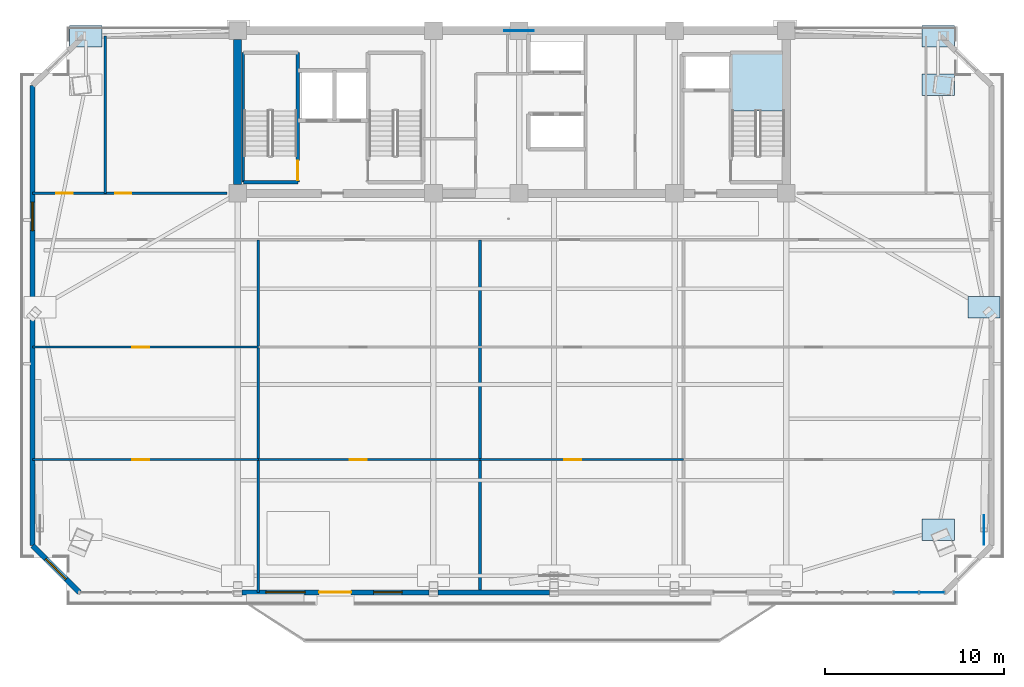
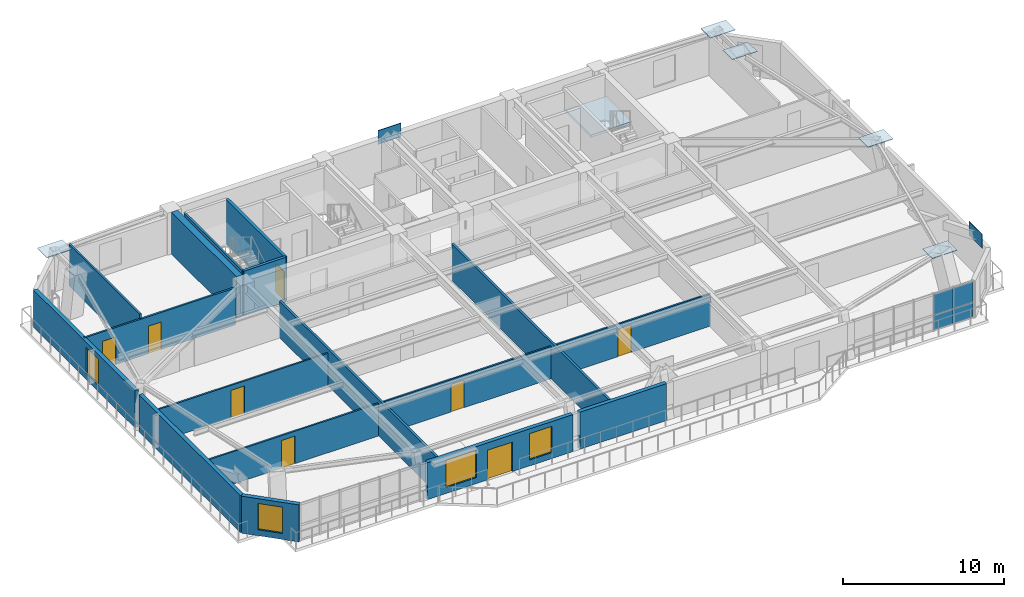
# One storey, part 8 of 16: 17 walls, 11 plates, 8 doors, 4 windows, 1 slab, 12 openings, 2 elements without a shape of their own.
"""IFC4 building model written with IfcOpenShell, lengths in metres."""

import ifcopenshell
import ifcopenshell.guid

model = None  # the IFC model being written
_history = None  # IfcOwnerHistory: only IFC2X3 demands one
_inside = {}  # id of a spatial element -> (the spatial element, [elements in it])
_under = {}  # id of a project, library or spatial element -> (it, [spatial elements below it])
_declared = {}  # id of a project -> (the project, [libraries it declares])
_typed = {}  # id of a type object -> (the type object, [elements of that type])
_made_of = {}  # id of a material, layer set ... -> (it, [elements and type objects made of it])


def new_model(schema):
    """Start an empty IFC model of exactly this schema.

    Asked for "IFC4X3", IfcOpenShell would pick the latest addendum, in which some entities
    have other attributes; the version numbers below select the first issue.
    IFC2X3 requires an IfcOwnerHistory on every rooted entity: one is made here for all.
    """
    global model, _history
    if schema == "IFC4X3":
        model = ifcopenshell.file(schema_version=(4, 3, 0, 0))
    else:
        model = ifcopenshell.file(schema=schema)
    _inside.clear()
    _under.clear()
    _declared.clear()
    _typed.clear()
    _made_of.clear()
    _history = None
    if model.schema == "IFC2X3":
        org = make("IfcOrganization", Name="unknown")
        user = make(
            "IfcPersonAndOrganization",
            ThePerson=make("IfcPerson", FamilyName="unknown"),
            TheOrganization=org,
        )
        app = make(
            "IfcApplication",
            ApplicationDeveloper=org,
            Version="unknown",
            ApplicationFullName="unknown",
            ApplicationIdentifier="unknown",
        )
        _history = make(
            "IfcOwnerHistory",
            OwningUser=user,
            OwningApplication=app,
            ChangeAction="ADDED",
            CreationDate=0,
        )
    return model


def make(cls, **values):
    """One entity of the class cls with the attributes given. An attribute that is None is left unset."""
    return model.create_entity(
        cls, **{name: value for name, value in values.items() if value is not None}
    )


def rooted(cls, **values):
    """An entity with a GlobalId (a new one), such as an element, a storey or a relation."""
    return make(cls, GlobalId=ifcopenshell.guid.new(), OwnerHistory=_history, **values)


def si_unit(unit_type, name, prefix=None):
    """IfcSIUnit, for example si_unit("LENGTHUNIT", "METRE", prefix="MILLI")."""
    return make("IfcSIUnit", UnitType=unit_type, Prefix=prefix, Name=name)


def assignment(units):
    """IfcUnitAssignment: the units of a project."""
    return None if units is None else make("IfcUnitAssignment", Units=units)


def point(xyz):
    """IfcCartesianPoint."""
    return None if xyz is None else make("IfcCartesianPoint", Coordinates=xyz)


def direction(xyz):
    """IfcDirection."""
    return None if xyz is None else make("IfcDirection", DirectionRatios=xyz)


def frame(location, z_axis=None, x_axis=None):
    """IfcAxis2Placement3D, a coordinate frame: its origin and axes. An axis left out is left unset."""
    return make(
        "IfcAxis2Placement3D",
        Location=point(location),
        Axis=direction(z_axis),
        RefDirection=direction(x_axis),
    )


def frame_2d(location, x_axis=None):
    """IfcAxis2Placement2D, a coordinate frame in the plane: its origin and x axis."""
    return make(
        "IfcAxis2Placement2D", Location=point(location), RefDirection=direction(x_axis)
    )


def origin():
    """The frame at (0, 0, 0) with its axes left unset."""
    return frame((0.0, 0.0, 0.0))


def origin_2d():
    """The frame at (0, 0) in the plane with its x axis left unset."""
    return frame_2d((0.0, 0.0))


def place(relative_to, where):
    """IfcLocalPlacement: puts the frame where relative to a parent placement (None: the world)."""
    return make(
        "IfcLocalPlacement", PlacementRelTo=relative_to, RelativePlacement=where
    )


def context(
    kind, dimensions, precision=None, world=None, true_north=None, identifier=None
):
    """IfcGeometricRepresentationContext, for example the 3D "Model" context."""
    return make(
        "IfcGeometricRepresentationContext",
        ContextIdentifier=identifier,
        ContextType=kind,
        CoordinateSpaceDimension=dimensions,
        Precision=precision,
        WorldCoordinateSystem=world,
        TrueNorth=true_north,
    )


def subcontext(parent, identifier, kind, view, scale=None):
    """IfcGeometricRepresentationSubContext, for example "Body" below "Model"."""
    return make(
        "IfcGeometricRepresentationSubContext",
        ContextIdentifier=identifier,
        ContextType=kind,
        ParentContext=parent,
        TargetScale=scale,
        TargetView=view,
    )


def project(units=None, contexts=None):
    """IfcProject with its units and contexts."""
    return rooted(
        "IfcProject",
        Name="project",
        RepresentationContexts=contexts,
        UnitsInContext=assignment(units),
    )


def spatial(cls, under=None, at=None, **own):
    """A site, building, storey or space (cls), placed at a placement, below another one or the project."""
    s = rooted(cls, ObjectPlacement=at, **own)
    if under is not None:
        _under.setdefault(under.id(), (under, []))[1].append(s)
    return s


def polyline(points):
    """IfcPolyline through the points."""
    return make("IfcPolyline", Points=[point(p) for p in points])


def profile(cls, at=None, kind="AREA", **sizes):
    """A parametric profile (cls). Its sizes go by their IFC names, for example OverallWidth=200.0."""
    return make(cls, ProfileType=kind, Position=at, **sizes)


def rectangle(**sizes):
    """IfcRectangleProfileDef."""
    return profile("IfcRectangleProfileDef", **sizes)


def outline(outer, holes=None, kind="AREA"):
    """IfcArbitraryClosedProfileDef: a profile drawn as a closed curve; with holes, ...WithVoids."""
    if holes is None:
        return make("IfcArbitraryClosedProfileDef", ProfileType=kind, OuterCurve=outer)
    return make(
        "IfcArbitraryProfileDefWithVoids",
        ProfileType=kind,
        OuterCurve=outer,
        InnerCurves=holes,
    )


def extrude(swept, where, along, depth):
    """IfcExtrudedAreaSolid: the profile swept, set in the frame where, extruded along a direction by depth."""
    return make(
        "IfcExtrudedAreaSolid",
        SweptArea=swept,
        Position=where,
        ExtrudedDirection=direction(along),
        Depth=depth,
    )


def shape(context_of_items, identifier, shape_type, items):
    """IfcShapeRepresentation: the items that make up one representation, for example the "Body"."""
    return make(
        "IfcShapeRepresentation",
        ContextOfItems=context_of_items,
        RepresentationIdentifier=identifier,
        RepresentationType=shape_type,
        Items=items,
    )


def source(mapping_origin, context_of_items, identifier, shape_type, items):
    """IfcRepresentationMap: a shape defined once, which mapped items show again and again."""
    return make(
        "IfcRepresentationMap",
        MappingOrigin=mapping_origin,
        MappedRepresentation=shape(context_of_items, identifier, shape_type, items),
    )


def transform(
    local_origin,
    x_axis=None,
    y_axis=None,
    z_axis=None,
    scale=None,
    scale2=None,
    scale3=None,
    uniform=True,
):
    """IfcCartesianTransformationOperator3D, or its non-uniform kind. x_axis, y_axis, z_axis: its Axis1, 2, 3."""
    if uniform:
        return make(
            "IfcCartesianTransformationOperator3D",
            Axis1=direction(x_axis),
            Axis2=direction(y_axis),
            LocalOrigin=point(local_origin),
            Scale=scale,
            Axis3=direction(z_axis),
        )
    return make(
        "IfcCartesianTransformationOperator3DnonUniform",
        Axis1=direction(x_axis),
        Axis2=direction(y_axis),
        LocalOrigin=point(local_origin),
        Scale=scale,
        Axis3=direction(z_axis),
        Scale2=scale2,
        Scale3=scale3,
    )


def mapped(mapping_source, mapping_target):
    """IfcMappedItem: shows the shape of a source again, moved by a transform."""
    return make(
        "IfcMappedItem", MappingSource=mapping_source, MappingTarget=mapping_target
    )


def material(Name=None, Category=None):
    """IfcMaterial."""
    return make("IfcMaterial", Name=Name, Category=Category)


def layer(
    of_material, thickness, ventilated=None, Name=None, Category=None, Priority=None
):
    """IfcMaterialLayer: one layer of a wall or slab, of a material (None: an air gap)."""
    return make(
        "IfcMaterialLayer",
        Material=of_material,
        LayerThickness=thickness,
        IsVentilated=ventilated,
        Name=Name,
        Category=Category,
        Priority=Priority,
    )


def layer_set(layers, Name=None):
    """IfcMaterialLayerSet."""
    return make("IfcMaterialLayerSet", MaterialLayers=layers, LayerSetName=Name)


def made_of(thing, what):
    """Note that an element or type object is made of a material, layer set ...; save() writes the relation."""
    if what is not None:
        _made_of.setdefault(what.id(), (what, []))[1].append(thing)
    return thing


def type_object(cls, material=None, **own):
    """A type object (cls), such as IfcWallType, which elements share."""
    return made_of(rooted(cls, **own), material)


def element(
    cls,
    number,
    at=None,
    inside=None,
    cuts=None,
    type_object=None,
    material=None,
    context=None,
    identifier="Body",
    shape_type=None,
    held_by="IfcProductDefinitionShape",
    body=None,
    shapes=None,
    **own,
):
    """One element of the class cls, such as IfcWall. Its Tag is "e" and its number.

    at: its placement. inside: the storey or other place that contains it. cuts: it is an
    opening in that element (IfcRelVoidsElement). A single representation is given by context,
    identifier, shape_type and body (its items); several are given by shapes. held_by: the class
    of the entity that holds the representations. save() writes the other relations.
    """
    e = rooted(cls, Tag="e%d" % number, ObjectPlacement=at, **own)
    if body is not None:
        shapes = [shape(context, identifier, shape_type, body)]
    if shapes is not None:
        e.Representation = make(held_by, Representations=shapes)
    if inside is not None:
        _inside.setdefault(inside.id(), (inside, []))[1].append(e)
    if cuts is not None:
        rooted(
            "IfcRelVoidsElement", RelatingBuildingElement=cuts, RelatedOpeningElement=e
        )
    if type_object is not None:
        _typed.setdefault(type_object.id(), (type_object, []))[1].append(e)
    return made_of(e, material)


def fill(opening, filler):
    """IfcRelFillsElement: the door or window that sits in an opening."""
    return rooted(
        "IfcRelFillsElement",
        RelatingOpeningElement=opening,
        RelatedBuildingElement=filler,
    )


def aggregate(whole, parts):
    """IfcRelAggregates: a whole, such as a stair, and the parts it consists of."""
    return rooted("IfcRelAggregates", RelatingObject=whole, RelatedObjects=parts)


def save(model, path):
    """Write the relations noted so far, then the file.

    IfcRelAggregates (storeys below a building ...), IfcRelContainedInSpatialStructure (elements
    in a storey), IfcRelDefinesByType, IfcRelAssociatesMaterial and IfcRelDeclares: one each for
    every whole, place, type object, material and project.
    """
    for whole, parts in _under.values():
        aggregate(whole, parts)
    for where, things in _inside.values():
        rooted(
            "IfcRelContainedInSpatialStructure",
            RelatedElements=things,
            RelatingStructure=where,
        )
    for kind, things in _typed.values():
        rooted("IfcRelDefinesByType", RelatedObjects=things, RelatingType=kind)
    for what, things in _made_of.values():
        rooted("IfcRelAssociatesMaterial", RelatedObjects=things, RelatingMaterial=what)
    for by, libraries in _declared.values():
        rooted("IfcRelDeclares", RelatingContext=by, RelatedDefinitions=libraries)
    model.write(path)


model = new_model("IFC4")

# Units and contexts
model_context = context("Model", 3, precision=1e-05, world=origin(), true_north=direction((0.0, 1.0)))
body_context = subcontext(model_context, "Body", "Model", "MODEL_VIEW")
ifc_project = project(units=[si_unit("LENGTHUNIT", "METRE"), si_unit("AREAUNIT", "SQUARE_METRE"), si_unit("VOLUMEUNIT", "CUBIC_METRE"), si_unit("PLANEANGLEUNIT", "RADIAN"), si_unit("MASSUNIT", "GRAM", prefix="KILO")], contexts=[model_context])

# Site, building, storey
site_placement = place(None, origin())
site = spatial("IfcSite", under=ifc_project, at=site_placement, CompositionType="ELEMENT")
building_placement = place(site_placement, origin())
building = spatial("IfcBuilding", under=site, at=building_placement, Name="Giltprow Tower", CompositionType="ELEMENT")
storey_placement = place(building_placement, frame((0.0, 0.0, 255.300048828125)))
storey = spatial("IfcBuildingStorey", under=building, at=storey_placement, Name="L65", CompositionType="ELEMENT", Elevation=255.300048828125)

# Stair, slab
ifc_material_1 = material(Name="Concrete C40", Category="concrete")
stair_type = type_object("IfcStairType", Name="STR-ST-3", PredefinedType="HALF_TURN_STAIR", material=ifc_material_1)
stair_placement = place(storey_placement, origin())
stair = element("IfcStair", 1, at=stair_placement, inside=storey, type_object=stair_type, Name="L65 Core Exit Stair ST-3", PredefinedType="HALF_TURN_STAIR")
ifc_layer_1 = layer(ifc_material_1, 0.196044921875, Name="Concrete C40")
ifc_layer_set_1 = layer_set([ifc_layer_1], Name="Concrete C40")
slab_type = type_object("IfcSlabType", Name="SLD-ST-3", PredefinedType="LANDING", material=ifc_layer_set_1)
slab_placement = place(storey_placement, frame((0.0, 0.0, 1.50390625)))
slab = element("IfcSlab", 2, at=slab_placement, type_object=slab_type, Name="ST-3 landing 1", PredefinedType="LANDING", context=body_context, shape_type="SweptSolid", body=[
    extrude(outline(polyline([(50.4599609375, 42.070068359375), (50.4599609375, 45.25), (47.5, 45.25), (47.5, 42.070068359375), (50.4599609375, 42.070068359375)])), origin(), (0.0, 0.0, 1.0), 0.196044921875),
])
aggregate(stair, [slab])

# Plates
ifc_material_2 = material(Name="Structural steel Q420GJC", Category="steel")
plate_type_1 = type_object("IfcPlateType", Name="PLT-NODE-CKN1", PredefinedType="USERDEFINED", material=ifc_material_2)
shared_shape_1 = source(origin(), body_context, "Body", "SweptSolid", [
    extrude(rectangle(XDim=1.800048828125, YDim=1.199951171875, at=origin_2d()), origin(), (0.0, 0.0, 1.0), 0.044921875),
])
for number, where, z_axis, x_axis, name in (
    (3, (59.052978515625, 18.614013671875, 3.142578125), (0.0, 0.0, 1.0), (1.0, 0.0, 0.0), "CKN1 Column Taper Splice Node L65-MC_SE"),
    (4, (59.052978515625, 43.530029296875, 3.142578125), (0.0, 0.0, 1.0), (1.0, 0.0, 0.0), "CKN1 Column Taper Splice Node L65-MC_NE"),
    (5, (61.6220703125, 31.072021484375, 3.142578125), (0.0, 0.0, 1.0), (1.0, 0.0, 0.0), "CKN1 Column Taper Splice Node L65-E_MID"),
    (6, (11.347900390625, 46.25, 3.142578125), (0.0, 0.0, 1.0), (1.0, 0.0, 0.0), "CKN1 Column Taper Splice Node L65-N_W"),
    (7, (59.052978515625, 46.25, 3.142578125), (0.0, 0.0, 1.0), (1.0, 0.0, 0.0), "CKN1 Column Taper Splice Node L65-N_E"),
):
    element("IfcPlate", number, at=place(storey_placement, frame(where, z_axis=z_axis, x_axis=x_axis)), inside=storey, type_object=plate_type_1, Name=name, ObjectType="SPLICE", PredefinedType="USERDEFINED", context=body_context, shape_type="MappedRepresentation", body=[
        mapped(shared_shape_1, transform((0.0, 0.0, 0.0), x_axis=(1.0, 0.0, 0.0), y_axis=(0.0, 1.0, 0.0), z_axis=(0.0, 0.0, 1.0), scale=1.0)),
    ])
plate_type_2 = type_object("IfcPlateType", Name="PLT-NODE-MBN2", PredefinedType="USERDEFINED", material=ifc_material_2)
shared_shape_2 = source(origin(), body_context, "Body", "SweptSolid", [
    extrude(rectangle(XDim=1.64990234375, YDim=0.044921875, at=origin_2d()), origin(), (0.0, 0.0, 1.0), 1.050048828125),
])
for number, where, z_axis, x_axis, name in (
    (8, (35.60009765625, 46.550048828125, 2.73486328125), (0.0, 0.0, 1.0), (1.0, 0.0, 0.0), "Mega-Brace Node L65-N-LB"),
    (9, (61.6220703125, 18.614013671875, 2.875), (0.0, 0.0, 1.0), (0.0, 1.0, 0.0), "Mega-Brace Node L65-E-DB"),
):
    element("IfcPlate", number, at=place(storey_placement, frame(where, z_axis=z_axis, x_axis=x_axis)), inside=storey, type_object=plate_type_2, Name=name, ObjectType="GUSSET", PredefinedType="USERDEFINED", context=body_context, shape_type="MappedRepresentation", body=[
        mapped(shared_shape_2, transform((0.0, 0.0, 0.0), x_axis=(1.0, 0.0, 0.0), y_axis=(0.0, 1.0, 0.0), z_axis=(0.0, 0.0, 1.0), scale=1.0)),
    ])

# Curtain wall, plates
ifc_material_3 = material(Name="Anodized bronze", Category="metal")
ifc_layer_2 = layer(ifc_material_3, 0.179931640625, Name="Anodized bronze")
ifc_layer_set_2 = layer_set([ifc_layer_2], Name="Anodized bronze")
curtain_wall_type = type_object("IfcCurtainWallType", Name="CW-RES-SKY", PredefinedType="NOTDEFINED", material=ifc_layer_set_2)
curtain_wall_placement = place(storey_placement, origin())
curtain_wall = element("IfcCurtainWall", 10, at=curtain_wall_placement, inside=storey, type_object=curtain_wall_type, Name="L65 South Recessed Curtain Wall 6", PredefinedType="NOTDEFINED")
ifc_material_4 = material(Name="Insulated glass", Category="glass")
plate_type_3 = type_object("IfcPlateType", Name="CW-PANEL-IGU-28", PredefinedType="CURTAIN_PANEL", material=ifc_material_4)
shared_shape_3 = source(origin(), body_context, "Body", "SweptSolid", [
    extrude(rectangle(XDim=1.406982421875, YDim=0.028076171875, at=origin_2d()), origin(), (0.0, 0.0, 1.0), 1.114013671875),
])
plate_1_placement = place(storey_placement, frame((57.26611328125, 15.113037109375, 0.0537109375), z_axis=(0.0, 0.0, 1.0), x_axis=(1.0, 0.0, 0.0)))
plate_1 = element("IfcPlate", 11, at=plate_1_placement, type_object=plate_type_3, Name="L65 South Recessed Curtain Wall 6 Glazing Panel 5-1", PredefinedType="CURTAIN_PANEL", context=body_context, shape_type="MappedRepresentation", body=[
    mapped(shared_shape_3, transform((0.0, 0.0, 0.0), x_axis=(1.0, 0.0, 0.0), y_axis=(0.0, 1.0, 0.0), z_axis=(0.0, 0.0, 1.0), scale=1.0)),
])
plate_2_placement = place(storey_placement, frame((58.702880859375, 15.113037109375, 0.0537109375), z_axis=(0.0, 0.0, 1.0), x_axis=(1.0, 0.0, 0.0)))
plate_2 = element("IfcPlate", 12, at=plate_2_placement, type_object=plate_type_3, Name="L65 South Recessed Curtain Wall 6 Glazing Panel 6-1", PredefinedType="CURTAIN_PANEL", context=body_context, shape_type="MappedRepresentation", body=[
    mapped(shared_shape_3, transform((0.0, 0.0, 0.0), x_axis=(1.0, 0.0, 0.0), y_axis=(0.0, 1.0, 0.0), z_axis=(0.0, 0.0, 1.0), scale=1.0)),
])
shared_shape_4 = source(origin(), body_context, "Body", "SweptSolid", [
    extrude(rectangle(XDim=1.406982421875, YDim=0.028076171875, at=origin_2d()), origin(), (0.0, 0.0, 1.0), 1.56494140625),
])
plate_3_placement = place(storey_placement, frame((57.26611328125, 15.113037109375, 1.196533203125), z_axis=(0.0, 0.0, 1.0), x_axis=(1.0, 0.0, 0.0)))
plate_3 = element("IfcPlate", 13, at=plate_3_placement, type_object=plate_type_3, Name="L65 South Recessed Curtain Wall 6 Glazing Panel 5-2", PredefinedType="CURTAIN_PANEL", context=body_context, shape_type="MappedRepresentation", body=[
    mapped(shared_shape_4, transform((0.0, 0.0, 0.0), x_axis=(1.0, 0.0, 0.0), y_axis=(0.0, 1.0, 0.0), z_axis=(0.0, 0.0, 1.0), scale=1.0)),
])
plate_4_placement = place(storey_placement, frame((58.702880859375, 15.113037109375, 1.196533203125), z_axis=(0.0, 0.0, 1.0), x_axis=(1.0, 0.0, 0.0)))
plate_4 = element("IfcPlate", 14, at=plate_4_placement, type_object=plate_type_3, Name="L65 South Recessed Curtain Wall 6 Glazing Panel 6-2", PredefinedType="CURTAIN_PANEL", context=body_context, shape_type="MappedRepresentation", body=[
    mapped(shared_shape_4, transform((0.0, 0.0, 0.0), x_axis=(1.0, 0.0, 0.0), y_axis=(0.0, 1.0, 0.0), z_axis=(0.0, 0.0, 1.0), scale=1.0)),
])
aggregate(curtain_wall, [plate_1, plate_3, plate_2, plate_4])

# Wall, opening, window
ifc_material_5 = material(Name="Precast concrete C40", Category="concrete")
ifc_layer_3 = layer(ifc_material_5, 0.300048828125, Name="Precast concrete C40")
ifc_layer_set_3 = layer_set([ifc_layer_3], Name="Precast concrete C40")
wall_type_1 = type_object("IfcWallType", Name="EW-NOTCH-CHAMFER-300", PredefinedType="SOLIDWALL", material=ifc_layer_set_3)
wall_1_placement = place(storey_placement, frame((8.364013671875, 17.72802734375, 0.0), z_axis=(0.0, 0.0, 1.0), x_axis=(0.707106781187, -0.707106781187, 0.0)))
wall_1 = element("IfcWall", 15, at=wall_1_placement, inside=storey, type_object=wall_type_1, Name="L65 Corner Notch Wall SW", PredefinedType="SOLIDWALL", context=body_context, shape_type="SweptSolid", body=[
    extrude(rectangle(XDim=3.6982421875, YDim=0.300048828125, at=frame_2d((1.84912109375, 0.0))), origin(), (0.0, 0.0, 1.0), 2.81494140625),
])
opening_1_placement = place(wall_1_placement, frame((1.049072265625, 0.0, 0.449951171875)))
opening_1 = element("IfcOpeningElement", 16, at=opening_1_placement, cuts=wall_1, Name="Opening WN17", PredefinedType="OPENING", context=body_context, shape_type="SweptSolid", body=[
    extrude(rectangle(XDim=1.60009765625, YDim=2.0, at=frame_2d((0.800048828125, 1.0))), frame((0.0, 0.159912109375, 0.0), z_axis=(0.0, -1.0, 0.0), x_axis=(1.0, 0.0, 0.0)), (0.0, 0.0, 1.0), 0.320068359375),
])
window_type_1 = type_object("IfcWindowType", Name="WN-COR-1600x2000", PartitioningType="SINGLE_PANEL", PredefinedType="WINDOW", material=ifc_material_4)
shared_shape_5 = source(origin(), body_context, "Body", "SweptSolid", [
    extrude(rectangle(XDim=1.60009765625, YDim=2.0, at=frame_2d((0.800048828125, 1.0))), frame((0.0, 0.030029296875, 0.0), z_axis=(0.0, -1.0, 0.0), x_axis=(1.0, 0.0, 0.0)), (0.0, 0.0, 1.0), 0.06005859375),
])
window_1_placement = place(opening_1_placement, origin())
window_1 = element("IfcWindow", 17, at=window_1_placement, inside=storey, type_object=window_type_1, Name="L65 Corner Notch Window SW", OverallHeight=2.0, OverallWidth=1.60009765625, PartitioningType="SINGLE_PANEL", PredefinedType="WINDOW", context=body_context, shape_type="MappedRepresentation", body=[
    mapped(shared_shape_5, transform((0.0, 0.0, 0.0), x_axis=(1.0, 0.0, 0.0), y_axis=(0.0, 1.0, 0.0), z_axis=(0.0, 0.0, 1.0), scale=1.0)),
])
fill(opening_1, window_1)

# Wall, openings, windows, door
ifc_layer_4 = layer(ifc_material_5, 0.280029296875, Name="Precast concrete C40")
ifc_layer_set_4 = layer_set([ifc_layer_4], Name="Precast concrete C40")
wall_type_2 = type_object("IfcWallType", Name="EW-TOW-BRONZE-280", PredefinedType="SOLIDWALL", material=ifc_layer_set_4)
wall_2_placement = place(storey_placement, frame((20.10009765625, 15.113037109375, 0.0), z_axis=(0.0, 0.0, 1.0), x_axis=(1.0, 0.0, 0.0)))
wall_2 = element("IfcWall", 18, at=wall_2_placement, inside=storey, type_object=wall_type_2, Name="L65 South Expressed Frame Wall 2", PredefinedType="SOLIDWALL", context=body_context, shape_type="SweptSolid", body=[
    extrude(rectangle(XDim=10.449951171875, YDim=0.280029296875, at=frame_2d((5.22509765625, 0.0))), origin(), (0.0, 0.0, 1.0), 2.81494140625),
])
opening_2_placement = place(wall_2_placement, frame((4.300048828125, 0.0, 0.0)))
opening_2 = element("IfcOpeningElement", 19, at=opening_2_placement, cuts=wall_2, Name="Opening ED25", PredefinedType="OPENING", context=body_context, shape_type="SweptSolid", body=[
    extrude(rectangle(XDim=1.800048828125, YDim=2.25, at=frame_2d((0.89990234375, 1.125))), frame((0.0, 0.14990234375, 0.0), z_axis=(0.0, -1.0, 0.0), x_axis=(1.0, 0.0, 0.0)), (0.0, 0.0, 1.0), 0.300048828125),
])
opening_3_placement = place(wall_2_placement, frame((1.320068359375, 0.0, 0.449951171875)))
opening_3 = element("IfcOpeningElement", 20, at=opening_3_placement, cuts=wall_2, Name="Opening WN27", PredefinedType="OPENING", context=body_context, shape_type="SweptSolid", body=[
    extrude(rectangle(XDim=2.199951171875, YDim=2.10009765625, at=frame_2d((1.10009765625, 1.050048828125))), frame((0.0, 0.14990234375, 0.0), z_axis=(0.0, -1.0, 0.0), x_axis=(1.0, 0.0, 0.0)), (0.0, 0.0, 1.0), 0.300048828125),
])
opening_4_placement = place(wall_2_placement, frame((7.35009765625, 0.0, 0.449951171875)))
opening_4 = element("IfcOpeningElement", 21, at=opening_4_placement, cuts=wall_2, Name="Opening WN17", PredefinedType="OPENING", context=body_context, shape_type="SweptSolid", body=[
    extrude(rectangle(XDim=1.60009765625, YDim=2.0, at=frame_2d((0.800048828125, 1.0))), frame((0.0, 0.14990234375, 0.0), z_axis=(0.0, -1.0, 0.0), x_axis=(1.0, 0.0, 0.0)), (0.0, 0.0, 1.0), 0.300048828125),
])
window_2_placement = place(opening_4_placement, origin())
window_2 = element("IfcWindow", 22, at=window_2_placement, inside=storey, type_object=window_type_1, Name="L65 South Window 2B", OverallHeight=2.0, OverallWidth=1.60009765625, PartitioningType="SINGLE_PANEL", PredefinedType="WINDOW", context=body_context, shape_type="MappedRepresentation", body=[
    mapped(shared_shape_5, transform((0.0, 0.0, 0.0), x_axis=(1.0, 0.0, 0.0), y_axis=(0.0, 1.0, 0.0), z_axis=(0.0, 0.0, 1.0), scale=1.0)),
])
fill(opening_4, window_2)
ifc_material_6 = material(Name="Anodized bronze and glass", Category="glass")
door_type_1 = type_object("IfcDoorType", Name="DR-BALC-SLIDE-1800", OperationType="SLIDING_TO_LEFT", PredefinedType="DOOR", material=ifc_material_6)
shared_shape_6 = source(origin(), body_context, "Body", "SweptSolid", [
    extrude(rectangle(XDim=1.800048828125, YDim=2.25, at=frame_2d((0.89990234375, 1.125))), frame((0.0, 0.02490234375, 0.0), z_axis=(0.0, -1.0, 0.0), x_axis=(1.0, 0.0, 0.0)), (0.0, 0.0, 1.0), 0.050048828125),
])
door_1_placement = place(opening_2_placement, origin())
door_1 = element("IfcDoor", 23, at=door_1_placement, inside=storey, type_object=door_type_1, Name="L65 Waterfront Balcony Sliding Door 1", OperationType="SLIDING_TO_LEFT", OverallHeight=2.25, OverallWidth=1.800048828125, PredefinedType="DOOR", context=body_context, shape_type="MappedRepresentation", body=[
    mapped(shared_shape_6, transform((0.0, 0.0, 0.0), x_axis=(1.0, 0.0, 0.0), y_axis=(0.0, 1.0, 0.0), z_axis=(0.0, 0.0, 1.0), scale=1.0)),
])
fill(opening_2, door_1)
window_type_2 = type_object("IfcWindowType", Name="WN-RES-2200x2100", PartitioningType="TRIPLE_PANEL_VERTICAL", PredefinedType="WINDOW", material=ifc_material_4)
shared_shape_7 = source(origin(), body_context, "Body", "SweptSolid", [
    extrude(rectangle(XDim=2.199951171875, YDim=2.10009765625, at=frame_2d((1.10009765625, 1.050048828125))), frame((0.0, 0.030029296875, 0.0), z_axis=(0.0, -1.0, 0.0), x_axis=(1.0, 0.0, 0.0)), (0.0, 0.0, 1.0), 0.06005859375),
])
window_3_placement = place(opening_3_placement, origin())
window_3 = element("IfcWindow", 24, at=window_3_placement, inside=storey, type_object=window_type_2, Name="L65 South Window 2A", OverallHeight=2.10009765625, OverallWidth=2.199951171875, PartitioningType="SINGLE_PANEL", PredefinedType="WINDOW", context=body_context, shape_type="MappedRepresentation", body=[
    mapped(shared_shape_7, transform((0.0, 0.0, 0.0), x_axis=(1.0, 0.0, 0.0), y_axis=(0.0, 1.0, 0.0), z_axis=(0.0, 0.0, 1.0), scale=1.0)),
])
fill(opening_3, window_3)

# Walls
wall_3_placement = place(storey_placement, frame((31.050048828125, 15.113037109375, 0.0), z_axis=(0.0, 0.0, 1.0), x_axis=(1.0, 0.0, 0.0)))
element("IfcWall", 25, at=wall_3_placement, inside=storey, type_object=wall_type_2, Name="L65 South Expressed Frame Wall 3", PredefinedType="SOLIDWALL", context=body_context, shape_type="SweptSolid", body=[
    extrude(rectangle(XDim=6.25, YDim=0.280029296875, at=frame_2d((3.125, 0.0))), origin(), (0.0, 0.0, 1.0), 2.81494140625),
])
wall_4_placement = place(storey_placement, frame((8.364013671875, 17.72802734375, 0.0), z_axis=(0.0, 0.0, 1.0), x_axis=(0.0, 1.0, 0.0)))
element("IfcWall", 26, at=wall_4_placement, inside=storey, type_object=wall_type_2, Name="L65 W Wing Masonry Wall 1", PredefinedType="SOLIDWALL", context=body_context, shape_type="SweptSolid", body=[
    extrude(rectangle(XDim=12.62890625, YDim=0.280029296875, at=frame_2d((6.314453125, 0.0))), origin(), (0.0, 0.0, 1.0), 2.81494140625),
])

# Wall, opening, window
wall_5_placement = place(storey_placement, frame((8.364013671875, 30.85693359375, 0.0), z_axis=(0.0, 0.0, 1.0), x_axis=(0.0, 1.0, 0.0)))
wall_5 = element("IfcWall", 27, at=wall_5_placement, inside=storey, type_object=wall_type_2, Name="L65 W Wing Masonry Wall 2", PredefinedType="SOLIDWALL", context=body_context, shape_type="SweptSolid", body=[
    extrude(rectangle(XDim=12.628173828125, YDim=0.280029296875, at=frame_2d((6.31396484375, 0.0))), origin(), (0.0, 0.0, 1.0), 2.81494140625),
])
opening_5_placement = place(wall_5_placement, frame((4.498046875, 0.0, 0.449951171875)))
opening_5 = element("IfcOpeningElement", 28, at=opening_5_placement, cuts=wall_5, Name="Opening WN17", PredefinedType="OPENING", context=body_context, shape_type="SweptSolid", body=[
    extrude(rectangle(XDim=1.60009765625, YDim=2.0, at=frame_2d((0.800048828125, 1.0))), frame((0.0, 0.14990234375, 0.0), z_axis=(0.0, -1.0, 0.0), x_axis=(1.0, 0.0, 0.0)), (0.0, 0.0, 1.0), 0.300048828125),
])
window_4_placement = place(opening_5_placement, origin())
window_4 = element("IfcWindow", 29, at=window_4_placement, inside=storey, type_object=window_type_1, Name="L65 W Wing Window 2-1", OverallHeight=2.0, OverallWidth=1.60009765625, PartitioningType="SINGLE_PANEL", PredefinedType="WINDOW", context=body_context, shape_type="MappedRepresentation", body=[
    mapped(shared_shape_5, transform((0.0, 0.0, 0.0), x_axis=(1.0, 0.0, 0.0), y_axis=(0.0, 1.0, 0.0), z_axis=(0.0, 0.0, 1.0), scale=1.0)),
])
fill(opening_5, window_4)

# Walls
ifc_material_7 = material(Name="Gypsum stud partition", Category="gypsum")
ifc_layer_5 = layer(ifc_material_7, 0.159912109375, Name="Gypsum stud partition")
ifc_layer_set_5 = layer_set([ifc_layer_5], Name="Gypsum stud partition")
wall_type_3 = type_object("IfcWallType", Name="IW-DEMISE-160", PredefinedType="PARTITIONING", material=ifc_layer_set_5)
for number, where, z_axis, x_axis, name in (
    (30, (21.0, 15.113037109375, 0.0), (0.0, 0.0, 1.0), (0.0, 1.0, 0.0), "L65 Apartment Party Wall 1"),
    (31, (33.39990234375, 15.113037109375, 0.0), (0.0, 0.0, 1.0), (0.0, 1.0, 0.0), "L65 Apartment Party Wall 2"),
):
    element("IfcWall", number, at=place(storey_placement, frame(where, z_axis=z_axis, x_axis=x_axis)), inside=storey, type_object=wall_type_3, Name=name, PredefinedType="PARTITIONING", context=body_context, shape_type="SweptSolid", body=[
        extrude(rectangle(XDim=19.737060546875, YDim=0.159912109375, at=frame_2d((9.86865234375, 0.0))), origin(), (0.0, 0.0, 1.0), 2.77001953125),
    ])

# Wall, opening, door
ifc_layer_6 = layer(ifc_material_7, 0.1201171875, Name="Gypsum stud partition")
ifc_layer_set_6 = layer_set([ifc_layer_6], Name="Gypsum stud partition")
wall_type_4 = type_object("IfcWallType", Name="IW-ROOM-120", PredefinedType="PARTITIONING", material=ifc_layer_set_6)
wall_6_placement = place(storey_placement, frame((8.364013671875, 22.5439453125, 0.0), z_axis=(0.0, 0.0, 1.0), x_axis=(1.0, 0.0, 0.0)))
wall_6 = element("IfcWall", 32, at=wall_6_placement, inside=storey, type_object=wall_type_4, Name="L65 Special Split 1", PredefinedType="PARTITIONING", context=body_context, shape_type="SweptSolid", body=[
    extrude(rectangle(XDim=12.635986328125, YDim=0.1201171875, at=frame_2d((6.31787109375, 0.0))), origin(), (0.0, 0.0, 1.0), 2.469970703125),
])
opening_6_placement = place(wall_6_placement, frame((5.589111328125, 0.0, 0.0)))
opening_6 = element("IfcOpeningElement", 33, at=opening_6_placement, cuts=wall_6, Name="Opening ID11", PredefinedType="OPENING", context=body_context, shape_type="SweptSolid", body=[
    extrude(rectangle(XDim=0.949951171875, YDim=2.10009765625, at=frame_2d((0.47509765625, 1.050048828125))), frame((0.0, 0.070068359375, 0.0), z_axis=(0.0, -1.0, 0.0), x_axis=(1.0, 0.0, 0.0)), (0.0, 0.0, 1.0), 0.14013671875),
])
ifc_material_8 = material(Name="Engineered timber", Category="wood")
door_type_2 = type_object("IfcDoorType", Name="DR-ROOM-950", OperationType="SINGLE_SWING_RIGHT", PredefinedType="DOOR", material=ifc_material_8)
shared_shape_8 = source(origin(), body_context, "Body", "SweptSolid", [
    extrude(rectangle(XDim=0.949951171875, YDim=2.10009765625, at=frame_2d((0.47509765625, 1.050048828125))), frame((0.0, 0.02490234375, 0.0), z_axis=(0.0, -1.0, 0.0), x_axis=(1.0, 0.0, 0.0)), (0.0, 0.0, 1.0), 0.050048828125),
])
door_2_placement = place(opening_6_placement, origin())
door_2 = element("IfcDoor", 34, at=door_2_placement, inside=storey, type_object=door_type_2, Name="L65 Gourmet Delicatessen Shop 1 South Door", OperationType="SINGLE_SWING_LEFT", OverallHeight=2.10009765625, OverallWidth=0.949951171875, PredefinedType="DOOR", context=body_context, shape_type="MappedRepresentation", body=[
    mapped(shared_shape_8, transform((0.0, 0.0, 0.0), x_axis=(1.0, 0.0, 0.0), y_axis=(0.0, 1.0, 0.0), z_axis=(0.0, 0.0, 1.0), scale=1.0)),
])
fill(opening_6, door_2)

wall_7_placement = place(storey_placement, frame((8.364013671875, 28.842041015625, 0.0), z_axis=(0.0, 0.0, 1.0), x_axis=(1.0, 0.0, 0.0)))
wall_7 = element("IfcWall", 35, at=wall_7_placement, inside=storey, type_object=wall_type_4, Name="L65 Special Split 2", PredefinedType="PARTITIONING", context=body_context, shape_type="SweptSolid", body=[
    extrude(rectangle(XDim=12.635986328125, YDim=0.1201171875, at=frame_2d((6.31787109375, 0.0))), origin(), (0.0, 0.0, 1.0), 2.469970703125),
])
opening_7_placement = place(wall_7_placement, frame((5.589111328125, 0.0, 0.0)))
opening_7 = element("IfcOpeningElement", 36, at=opening_7_placement, cuts=wall_7, Name="Opening ID11", PredefinedType="OPENING", context=body_context, shape_type="SweptSolid", body=[
    extrude(rectangle(XDim=0.949951171875, YDim=2.10009765625, at=frame_2d((0.47509765625, 1.050048828125))), frame((0.0, 0.070068359375, 0.0), z_axis=(0.0, -1.0, 0.0), x_axis=(1.0, 0.0, 0.0)), (0.0, 0.0, 1.0), 0.14013671875),
])
door_3_placement = place(opening_7_placement, origin())
door_3 = element("IfcDoor", 37, at=door_3_placement, inside=storey, type_object=door_type_2, Name="L65 Gourmet Delicatessen Shop 1 Mid Door", OperationType="SINGLE_SWING_RIGHT", OverallHeight=2.10009765625, OverallWidth=0.949951171875, PredefinedType="DOOR", context=body_context, shape_type="MappedRepresentation", body=[
    mapped(shared_shape_8, transform((0.0, 0.0, 0.0), x_axis=(1.0, 0.0, 0.0), y_axis=(0.0, 1.0, 0.0), z_axis=(0.0, 0.0, 1.0), scale=1.0)),
])
fill(opening_7, door_3)

wall_8_placement = place(storey_placement, frame((21.0, 22.5439453125, 0.0), z_axis=(0.0, 0.0, 1.0), x_axis=(1.0, 0.0, 0.0)))
wall_8 = element("IfcWall", 38, at=wall_8_placement, inside=storey, type_object=wall_type_4, Name="L65 Special Split 1", PredefinedType="PARTITIONING", context=body_context, shape_type="SweptSolid", body=[
    extrude(rectangle(XDim=12.39990234375, YDim=0.1201171875, at=frame_2d((6.199951171875, 0.0))), origin(), (0.0, 0.0, 1.0), 2.469970703125),
])
opening_8_placement = place(wall_8_placement, frame((5.1259765625, 0.0, 0.0)))
opening_8 = element("IfcOpeningElement", 39, at=opening_8_placement, cuts=wall_8, Name="Opening ID11", PredefinedType="OPENING", context=body_context, shape_type="SweptSolid", body=[
    extrude(rectangle(XDim=0.949951171875, YDim=2.10009765625, at=frame_2d((0.47509765625, 1.050048828125))), frame((0.0, 0.070068359375, 0.0), z_axis=(0.0, -1.0, 0.0), x_axis=(1.0, 0.0, 0.0)), (0.0, 0.0, 1.0), 0.14013671875),
])
door_4_placement = place(opening_8_placement, origin())
door_4 = element("IfcDoor", 40, at=door_4_placement, inside=storey, type_object=door_type_2, Name="L65 Residents Sky Club Lounge South Door", OperationType="SINGLE_SWING_RIGHT", OverallHeight=2.10009765625, OverallWidth=0.949951171875, PredefinedType="DOOR", context=body_context, shape_type="MappedRepresentation", body=[
    mapped(shared_shape_8, transform((0.0, 0.0, 0.0), x_axis=(1.0, 0.0, 0.0), y_axis=(0.0, 1.0, 0.0), z_axis=(0.0, 0.0, 1.0), scale=1.0)),
])
fill(opening_8, door_4)

wall_9_placement = place(storey_placement, frame((33.39990234375, 22.5439453125, 0.0), z_axis=(0.0, 0.0, 1.0), x_axis=(1.0, 0.0, 0.0)))
wall_9 = element("IfcWall", 41, at=wall_9_placement, inside=storey, type_object=wall_type_4, Name="L65 Special Split 1", PredefinedType="PARTITIONING", context=body_context, shape_type="SweptSolid", body=[
    extrude(rectangle(XDim=11.400146484375, YDim=0.1201171875, at=frame_2d((5.7001953125, 0.0))), origin(), (0.0, 0.0, 1.0), 2.469970703125),
])
opening_9_placement = place(wall_9_placement, frame((4.72607421875, 0.0, 0.0)))
opening_9 = element("IfcOpeningElement", 42, at=opening_9_placement, cuts=wall_9, Name="Opening ID11", PredefinedType="OPENING", context=body_context, shape_type="SweptSolid", body=[
    extrude(rectangle(XDim=0.949951171875, YDim=2.10009765625, at=frame_2d((0.47509765625, 1.050048828125))), frame((0.0, 0.070068359375, 0.0), z_axis=(0.0, -1.0, 0.0), x_axis=(1.0, 0.0, 0.0)), (0.0, 0.0, 1.0), 0.14013671875),
])
door_5_placement = place(opening_9_placement, origin())
door_5 = element("IfcDoor", 43, at=door_5_placement, inside=storey, type_object=door_type_2, Name="L65 Residents Sky Club Lounge South Door", OperationType="SINGLE_SWING_LEFT", OverallHeight=2.10009765625, OverallWidth=0.949951171875, PredefinedType="DOOR", context=body_context, shape_type="MappedRepresentation", body=[
    mapped(shared_shape_8, transform((0.0, 0.0, 0.0), x_axis=(1.0, 0.0, 0.0), y_axis=(0.0, 1.0, 0.0), z_axis=(0.0, 0.0, 1.0), scale=1.0)),
])
fill(opening_9, door_5)

# Wall
ifc_material_9 = material(Name="Concrete C45", Category="concrete")
ifc_layer_7 = layer(ifc_material_9, 0.139892578125, Name="Concrete C45")
ifc_layer_set_7 = layer_set([ifc_layer_7], Name="Concrete C45")
wall_type_5 = type_object("IfcWallType", Name="IW-STAIR-140", PredefinedType="SOLIDWALL", material=ifc_layer_set_7)
wall_10_placement = place(storey_placement, frame((20.169921875, 38.070068359375, 0.0), z_axis=(0.0, 0.0, 1.0), x_axis=(0.0, 1.0, 0.0)))
element("IfcWall", 44, at=wall_10_placement, inside=storey, type_object=wall_type_5, Name="L65 Stair ST-1 West Bearing Wall", PredefinedType="SOLIDWALL", context=body_context, shape_type="SweptSolid", body=[
    extrude(rectangle(XDim=7.25, YDim=0.139892578125, at=frame_2d((3.625, 0.0))), origin(), (0.0, 0.0, 1.0), 3.39990234375),
])

# Wall, opening, door
ifc_layer_8 = layer(ifc_material_1, 0.199951171875, Name="Concrete C40")
ifc_layer_set_8 = layer_set([ifc_layer_8], Name="Concrete C40")
wall_type_6 = type_object("IfcWallType", Name="IW-STAIR-200", PredefinedType="SOLIDWALL", material=ifc_layer_set_8)
wall_11_placement = place(storey_placement, frame((23.219970703125, 38.070068359375, 0.0), z_axis=(0.0, 0.0, 1.0), x_axis=(0.0, 1.0, 0.0)))
wall_11 = element("IfcWall", 45, at=wall_11_placement, inside=storey, type_object=wall_type_6, Name="L65 Stair ST-1 East Bearing Wall", PredefinedType="SOLIDWALL", context=body_context, shape_type="SweptSolid", body=[
    extrude(rectangle(XDim=7.25, YDim=0.199951171875, at=frame_2d((3.625, 0.0))), origin(), (0.0, 0.0, 1.0), 3.39990234375),
])
opening_10_placement = place(wall_11_placement, frame((0.110107421875, 0.0, 0.0)))
opening_10 = element("IfcOpeningElement", 46, at=opening_10_placement, cuts=wall_11, Name="Opening ID33", PredefinedType="OPENING", context=body_context, shape_type="SweptSolid", body=[
    extrude(rectangle(XDim=1.10009765625, YDim=2.14990234375, at=frame_2d((0.550048828125, 1.074951171875))), frame((0.0, 0.10986328125, 0.0), z_axis=(0.0, -1.0, 0.0), x_axis=(1.0, 0.0, 0.0)), (0.0, 0.0, 1.0), 0.219970703125),
])
ifc_material_10 = material(Name="Steel fire leaf", Category="steel")
door_type_3 = type_object("IfcDoorType", Name="DR-STAIR-1100", OperationType="SINGLE_SWING_LEFT", PredefinedType="DOOR", material=ifc_material_10)
shared_shape_9 = source(origin(), body_context, "Body", "SweptSolid", [
    extrude(rectangle(XDim=1.10009765625, YDim=2.14990234375, at=frame_2d((0.550048828125, 1.074951171875))), frame((0.0, 0.02490234375, 0.0), z_axis=(0.0, -1.0, 0.0), x_axis=(1.0, 0.0, 0.0)), (0.0, 0.0, 1.0), 0.050048828125),
])
door_6_placement = place(opening_10_placement, origin())
door_6 = element("IfcDoor", 47, at=door_6_placement, inside=storey, type_object=door_type_3, Name="L65 Stair ST-1 Fire Door", OperationType="SINGLE_SWING_RIGHT", OverallHeight=2.14990234375, OverallWidth=1.10009765625, PredefinedType="DOOR", context=body_context, shape_type="MappedRepresentation", body=[
    mapped(shared_shape_9, transform((0.0, 0.0, 0.0), x_axis=(1.0, 0.0, 0.0), y_axis=(0.0, 1.0, 0.0), z_axis=(0.0, 0.0, 1.0), scale=1.0)),
])
fill(opening_10, door_6)

# Wall
wall_12_placement = place(storey_placement, frame((20.169921875, 38.070068359375, 0.0), z_axis=(0.0, 0.0, 1.0), x_axis=(1.0, 0.0, 0.0)))
element("IfcWall", 48, at=wall_12_placement, inside=storey, type_object=wall_type_6, Name="L65 Stair ST-1 South Bearing Wall", PredefinedType="SOLIDWALL", context=body_context, shape_type="SweptSolid", body=[
    extrude(rectangle(XDim=3.050048828125, YDim=0.199951171875, at=frame_2d((1.52490234375, 0.0))), origin(), (0.0, 0.0, 1.0), 3.39990234375),
])

# Wall, openings, doors
ifc_material_11 = material(Name="Concrete C30", Category="concrete")
ifc_layer_9 = layer(ifc_material_11, 0.1298828125, Name="Concrete C30")
ifc_layer_set_9 = layer_set([ifc_layer_9], Name="Concrete C30")
wall_type_7 = type_object("IfcWallType", Name="IW-WET-130", PredefinedType="PARTITIONING", material=ifc_layer_set_9)
wall_13_placement = place(storey_placement, frame((8.364013671875, 37.449951171875, 0.0), z_axis=(0.0, 0.0, 1.0), x_axis=(1.0, 0.0, 0.0)))
wall_13 = element("IfcWall", 49, at=wall_13_placement, inside=storey, type_object=wall_type_7, Name="L65 NW Wing South Wall", PredefinedType="PARTITIONING", context=body_context, shape_type="SweptSolid", body=[
    extrude(rectangle(XDim=10.885986328125, YDim=0.1298828125, at=frame_2d((5.44287109375, 0.0))), origin(), (0.0, 0.0, 1.0), 2.820068359375),
])
opening_11_placement = place(wall_13_placement, frame((1.31494140625, 0.0, 0.0)))
opening_11 = element("IfcOpeningElement", 50, at=opening_11_placement, cuts=wall_13, Name="Opening ID11", PredefinedType="OPENING", context=body_context, shape_type="SweptSolid", body=[
    extrude(rectangle(XDim=0.949951171875, YDim=2.10009765625, at=frame_2d((0.47509765625, 1.050048828125))), frame((0.0, 0.074951171875, 0.0), z_axis=(0.0, -1.0, 0.0), x_axis=(1.0, 0.0, 0.0)), (0.0, 0.0, 1.0), 0.14990234375),
])
opening_12_placement = place(wall_13_placement, frame((4.623046875, 0.0, 0.0)))
opening_12 = element("IfcOpeningElement", 51, at=opening_12_placement, cuts=wall_13, Name="Opening ID15", PredefinedType="OPENING", context=body_context, shape_type="SweptSolid", body=[
    extrude(rectangle(XDim=0.89990234375, YDim=2.10009765625, at=frame_2d((0.449951171875, 1.050048828125))), frame((0.0, 0.074951171875, 0.0), z_axis=(0.0, -1.0, 0.0), x_axis=(1.0, 0.0, 0.0)), (0.0, 0.0, 1.0), 0.14990234375),
])
door_type_4 = type_object("IfcDoorType", Name="DR-WC-900", OperationType="SINGLE_SWING_LEFT", PredefinedType="DOOR", material=ifc_material_8)
shared_shape_10 = source(origin(), body_context, "Body", "SweptSolid", [
    extrude(rectangle(XDim=0.89990234375, YDim=2.10009765625, at=frame_2d((0.449951171875, 1.050048828125))), frame((0.0, 0.02490234375, 0.0), z_axis=(0.0, -1.0, 0.0), x_axis=(1.0, 0.0, 0.0)), (0.0, 0.0, 1.0), 0.050048828125),
])
door_7_placement = place(opening_12_placement, origin())
door_7 = element("IfcDoor", 52, at=door_7_placement, inside=storey, type_object=door_type_4, Name="L65 NW Washroom Door", OperationType="SINGLE_SWING_RIGHT", OverallHeight=2.10009765625, OverallWidth=0.89990234375, PredefinedType="DOOR", context=body_context, shape_type="MappedRepresentation", body=[
    mapped(shared_shape_10, transform((0.0, 0.0, 0.0), x_axis=(1.0, 0.0, 0.0), y_axis=(0.0, 1.0, 0.0), z_axis=(0.0, 0.0, 1.0), scale=1.0)),
])
fill(opening_12, door_7)
door_8_placement = place(opening_11_placement, origin())
door_8 = element("IfcDoor", 53, at=door_8_placement, inside=storey, type_object=door_type_2, Name="L65 Residents Study Office West Door", OperationType="SINGLE_SWING_LEFT", OverallHeight=2.10009765625, OverallWidth=0.949951171875, PredefinedType="DOOR", context=body_context, shape_type="MappedRepresentation", body=[
    mapped(shared_shape_8, transform((0.0, 0.0, 0.0), x_axis=(1.0, 0.0, 0.0), y_axis=(0.0, 1.0, 0.0), z_axis=(0.0, 0.0, 1.0), scale=1.0)),
])
fill(opening_11, door_8)

# Walls
wall_14_placement = place(storey_placement, frame((12.43701171875, 37.449951171875, 0.0), z_axis=(0.0, 0.0, 1.0), x_axis=(0.0, 1.0, 0.0)))
element("IfcWall", 54, at=wall_14_placement, inside=storey, type_object=wall_type_7, Name="L65 NW Wing Divider", PredefinedType="PARTITIONING", context=body_context, shape_type="SweptSolid", body=[
    extrude(rectangle(XDim=8.800048828125, YDim=0.1298828125, at=frame_2d((4.39990234375, 0.0))), origin(), (0.0, 0.0, 1.0), 3.18505859375),
])
ifc_material_12 = material(Name="Concrete C50", Category="concrete")
ifc_layer_10 = layer(ifc_material_12, 0.449951171875, Name="Concrete C50")
ifc_layer_set_10 = layer_set([ifc_layer_10], Name="Concrete C50")
wall_type_8 = type_object("IfcWallType", Name="SW-INT-450-C50", PredefinedType="SHEAR", material=ifc_layer_set_10)
wall_15_placement = place(storey_placement, frame((19.85009765625, 37.949951171875, 0.0), z_axis=(0.0, 0.0, 1.0), x_axis=(0.0, 1.0, 0.0)))
element("IfcWall", 55, at=wall_15_placement, inside=storey, type_object=wall_type_8, Name="L65 W Rear Core Shear Wall", PredefinedType="SHEAR", context=body_context, shape_type="SweptSolid", body=[
    extrude(rectangle(XDim=8.10009765625, YDim=0.449951171875, at=frame_2d((4.050048828125, 0.0))), origin(), (0.0, 0.0, 1.0), 3.18505859375),
])

save(model, "model.ifc")
